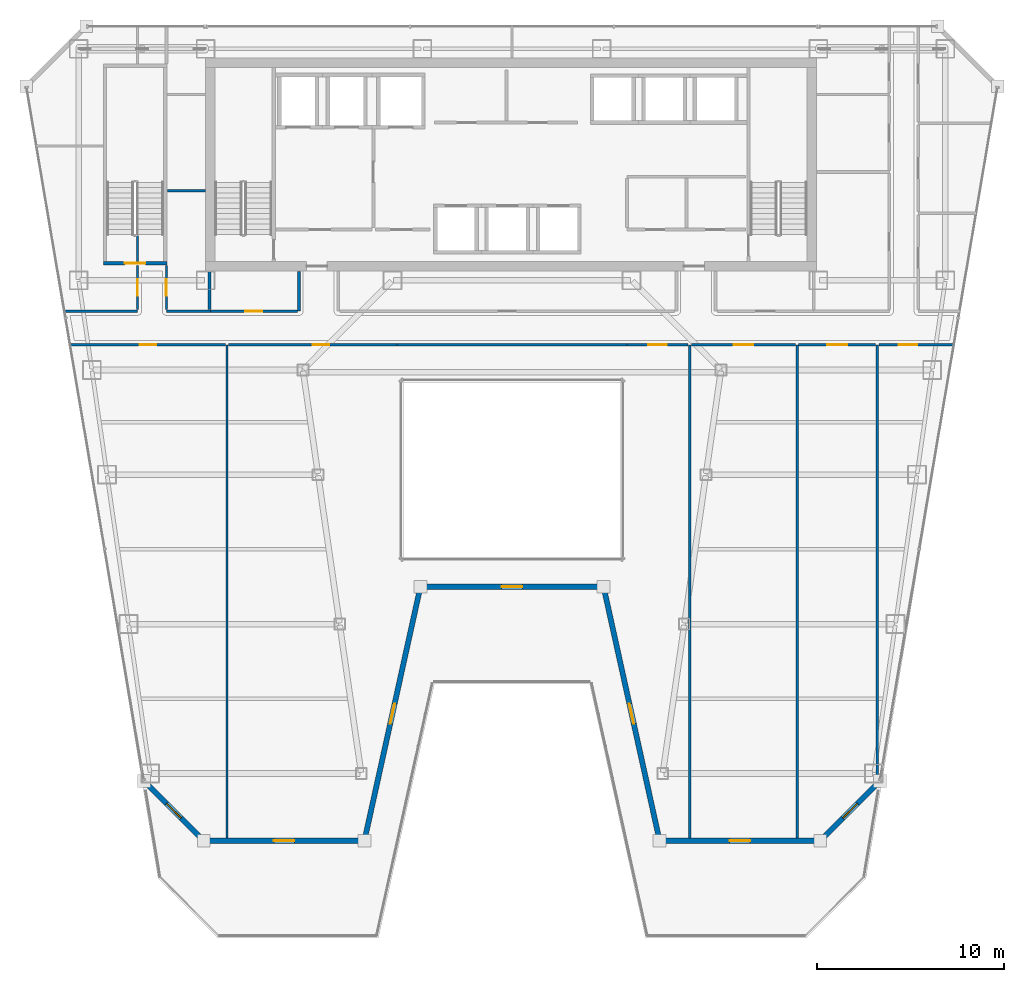
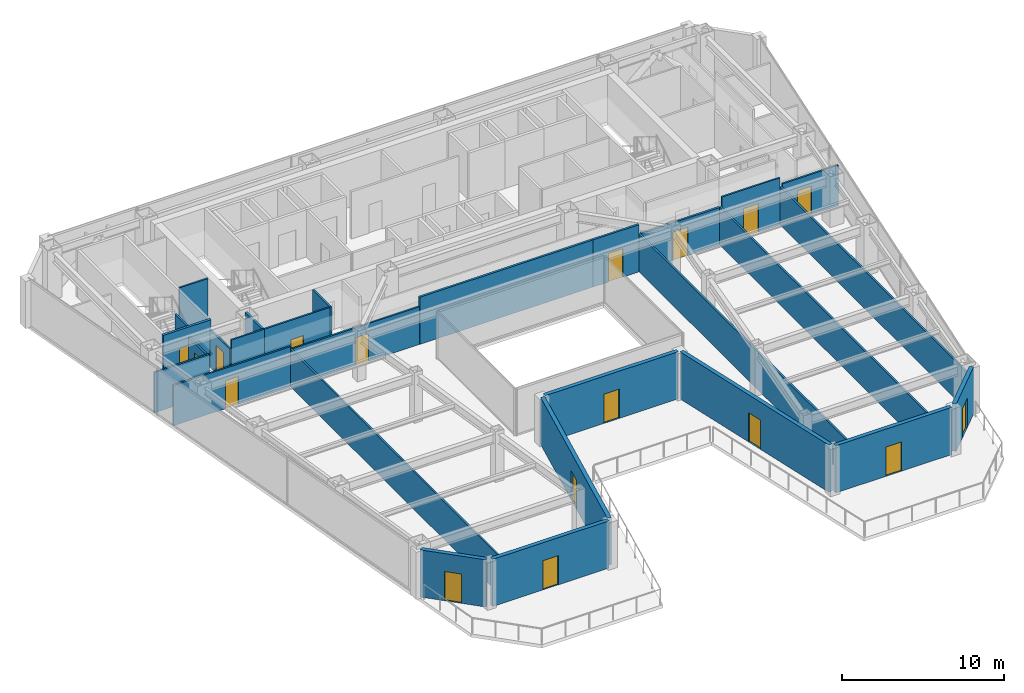
# One storey, part 24 of 31: 28 walls, 17 doors, 17 openings.
"""IFC4 building model written with IfcOpenShell, lengths in metres."""

from ifc_helpers import new_model, si_unit, direction, frame, frame_2d, origin, place, context, subcontext, project, spatial, rectangle, extrude, material, layer, layer_set, type_object, element, fill, save


model = new_model("IFC4")

# Units and contexts
model_context = context("Model", 3, precision=1e-05, world=origin(), true_north=direction((0.0, 1.0)))
body_context = subcontext(model_context, "Body", "Model", "MODEL_VIEW")
ifc_project = project(units=[si_unit("LENGTHUNIT", "METRE"), si_unit("AREAUNIT", "SQUARE_METRE"), si_unit("VOLUMEUNIT", "CUBIC_METRE"), si_unit("PLANEANGLEUNIT", "RADIAN"), si_unit("MASSUNIT", "GRAM", prefix="KILO")], contexts=[model_context])

# Site, building, storey
site_placement = place(None, origin())
site = spatial("IfcSite", under=ifc_project, at=site_placement, CompositionType="ELEMENT")
building_placement = place(site_placement, origin())
building = spatial("IfcBuilding", under=site, at=building_placement, Name="Saevonmaru Cultural Tower", CompositionType="ELEMENT")
storey_placement = place(building_placement, frame((0.0, 0.0, 167.60009765625)))
storey = spatial("IfcBuildingStorey", under=building, at=storey_placement, Name="L37", CompositionType="ELEMENT", Elevation=167.60009765625)

# Wall, opening, door
ifc_material_1 = material(Name="Granite-Clad Precast Concrete C40/50", Category="masonry")
ifc_layer_1 = layer(ifc_material_1, 0.280029296875, Name="Granite-Clad Precast Concrete C40/50")
ifc_layer_set_1 = layer_set([ifc_layer_1], Name="Granite-Clad Precast Concrete C40/50")
wall_type_1 = type_object("IfcWallType", Name="WL-EXT-SPANDREL-280", PredefinedType="STANDARD", material=ifc_layer_set_1)
wall_1_placement = place(storey_placement, frame((10.410888671875, 15.48681640625, 0.0), z_axis=(0.0, 0.0, 1.0), x_axis=(0.707135806771, -0.70707775441, 0.0)))
wall_1 = element("IfcWall", 1, at=wall_1_placement, inside=storey, type_object=wall_type_1, Name="L37 Setback Terrace Portal Wall E1", PredefinedType="STANDARD", context=body_context, shape_type="SweptSolid", body=[
    extrude(rectangle(XDim=4.20556640625, YDim=0.280029296875, at=frame_2d((2.102783203125, 0.0))), origin(), (0.0, 0.0, 1.0), 3.5498046875),
])
opening_1_placement = place(wall_1_placement, frame((1.552978515625, 0.0, 0.0)))
opening_1 = element("IfcOpeningElement", 2, at=opening_1_placement, cuts=wall_1, Name="Opening TD-1", PredefinedType="OPENING", context=body_context, shape_type="SweptSolid", body=[
    extrude(rectangle(XDim=1.10009765625, YDim=2.199951171875, at=frame_2d((0.550048828125, 1.10009765625))), frame((0.0, 0.14990234375, 0.0), z_axis=(0.0, -1.0, 0.0), x_axis=(1.0, 0.0, 0.0)), (0.0, 0.0, 1.0), 0.300048828125),
])
ifc_material_2 = material(Name="Satin Bronze Anodised Aluminium", Category="aluminium")
door_type_1 = type_object("IfcDoorType", Name="DR-TERR-1100", OperationType="SINGLE_SWING_LEFT", PredefinedType="DOOR", material=ifc_material_2)
door_1_placement = place(opening_1_placement, origin())
door_1 = element("IfcDoor", 3, at=door_1_placement, inside=storey, type_object=door_type_1, Name="L37 Sawtooth Roof Terrace Door E1", OperationType="SINGLE_SWING_RIGHT", OverallHeight=2.199951171875, OverallWidth=1.10009765625, PredefinedType="DOOR", context=body_context, shape_type="SweptSolid", body=[
    extrude(rectangle(XDim=1.10009765625, YDim=2.199951171875, at=frame_2d((0.550048828125, 1.10009765625))), frame((0.0, 0.02490234375, 0.0), z_axis=(0.0, -1.0, 0.0), x_axis=(1.0, 0.0, 0.0)), (0.0, 0.0, 1.0), 0.050048828125),
])
fill(opening_1, door_1)

wall_2_placement = place(storey_placement, frame((13.65771484375, 12.39990234375, 0.0), z_axis=(0.0, 0.0, 1.0), x_axis=(1.0, 0.0, 0.0)))
wall_2 = element("IfcWall", 4, at=wall_2_placement, inside=storey, type_object=wall_type_1, Name="L37 Setback Terrace Portal Wall E2", PredefinedType="STANDARD", context=body_context, shape_type="SweptSolid", body=[
    extrude(rectangle(XDim=8.280029296875, YDim=0.280029296875, at=frame_2d((4.14013671875, 0.0))), origin(), (0.0, 0.0, 1.0), 3.5498046875),
])
opening_2_placement = place(wall_2_placement, frame((3.590087890625, 0.0, 0.0)))
opening_2 = element("IfcOpeningElement", 5, at=opening_2_placement, cuts=wall_2, Name="Opening TD-1", PredefinedType="OPENING", context=body_context, shape_type="SweptSolid", body=[
    extrude(rectangle(XDim=1.10009765625, YDim=2.199951171875, at=frame_2d((0.550048828125, 1.10009765625))), frame((0.0, 0.14990234375, 0.0), z_axis=(0.0, -1.0, 0.0), x_axis=(1.0, 0.0, 0.0)), (0.0, 0.0, 1.0), 0.300048828125),
])
door_2_placement = place(opening_2_placement, origin())
door_2 = element("IfcDoor", 6, at=door_2_placement, inside=storey, type_object=door_type_1, Name="L37 Sawtooth Roof Terrace Door E2", OperationType="SINGLE_SWING_LEFT", OverallHeight=2.199951171875, OverallWidth=1.10009765625, PredefinedType="DOOR", context=body_context, shape_type="SweptSolid", body=[
    extrude(rectangle(XDim=1.10009765625, YDim=2.199951171875, at=frame_2d((0.550048828125, 1.10009765625))), frame((0.0, 0.02490234375, 0.0), z_axis=(0.0, -1.0, 0.0), x_axis=(1.0, 0.0, 0.0)), (0.0, 0.0, 1.0), 0.050048828125),
])
fill(opening_2, door_2)

wall_3_placement = place(storey_placement, frame((22.13232421875, 12.55615234375, 0.0), z_axis=(0.0, 0.0, 1.0), x_axis=(0.215397075206, 0.976526548535, 0.0)))
wall_3 = element("IfcWall", 7, at=wall_3_placement, inside=storey, type_object=wall_type_1, Name="L37 Setback Terrace Portal Wall E3", PredefinedType="STANDARD", context=body_context, shape_type="SweptSolid", body=[
    extrude(rectangle(XDim=13.60693359375, YDim=0.280029296875, at=frame_2d((6.803466796875, 0.0))), origin(), (0.0, 0.0, 1.0), 3.5498046875),
])
opening_3_placement = place(wall_3_placement, frame((6.25390625, 0.0, 0.0)))
opening_3 = element("IfcOpeningElement", 8, at=opening_3_placement, cuts=wall_3, Name="Opening TD-1", PredefinedType="OPENING", context=body_context, shape_type="SweptSolid", body=[
    extrude(rectangle(XDim=1.10009765625, YDim=2.199951171875, at=frame_2d((0.550048828125, 1.10009765625))), frame((0.0, 0.14990234375, 0.0), z_axis=(0.0, -1.0, 0.0), x_axis=(1.0, 0.0, 0.0)), (0.0, 0.0, 1.0), 0.300048828125),
])
door_3_placement = place(opening_3_placement, origin())
door_3 = element("IfcDoor", 9, at=door_3_placement, inside=storey, type_object=door_type_1, Name="L37 Sawtooth Roof Terrace Door E3", OperationType="SINGLE_SWING_RIGHT", OverallHeight=2.199951171875, OverallWidth=1.10009765625, PredefinedType="DOOR", context=body_context, shape_type="SweptSolid", body=[
    extrude(rectangle(XDim=1.10009765625, YDim=2.199951171875, at=frame_2d((0.550048828125, 1.10009765625))), frame((0.0, 0.02490234375, 0.0), z_axis=(0.0, -1.0, 0.0), x_axis=(1.0, 0.0, 0.0)), (0.0, 0.0, 1.0), 0.050048828125),
])
fill(opening_3, door_3)

wall_4_placement = place(storey_placement, frame((25.2578125, 26.0, 0.0), z_axis=(0.0, 0.0, 1.0), x_axis=(1.0, 0.0, 0.0)))
wall_4 = element("IfcWall", 10, at=wall_4_placement, inside=storey, type_object=wall_type_1, Name="L37 Setback Terrace Portal Wall E4", PredefinedType="STANDARD", context=body_context, shape_type="SweptSolid", body=[
    extrude(rectangle(XDim=9.484375, YDim=0.280029296875, at=frame_2d((4.7421875, 0.0))), origin(), (0.0, 0.0, 1.0), 3.5498046875),
])
opening_4_placement = place(wall_4_placement, frame((4.19189453125, 0.0, 0.0)))
opening_4 = element("IfcOpeningElement", 11, at=opening_4_placement, cuts=wall_4, Name="Opening TD-1", PredefinedType="OPENING", context=body_context, shape_type="SweptSolid", body=[
    extrude(rectangle(XDim=1.10009765625, YDim=2.199951171875, at=frame_2d((0.550048828125, 1.10009765625))), frame((0.0, 0.14990234375, 0.0), z_axis=(0.0, -1.0, 0.0), x_axis=(1.0, 0.0, 0.0)), (0.0, 0.0, 1.0), 0.300048828125),
])
door_4_placement = place(opening_4_placement, origin())
door_4 = element("IfcDoor", 12, at=door_4_placement, inside=storey, type_object=door_type_1, Name="L37 Sawtooth Roof Terrace Door E4", OperationType="SINGLE_SWING_LEFT", OverallHeight=2.199951171875, OverallWidth=1.10009765625, PredefinedType="DOOR", context=body_context, shape_type="SweptSolid", body=[
    extrude(rectangle(XDim=1.10009765625, YDim=2.199951171875, at=frame_2d((0.550048828125, 1.10009765625))), frame((0.0, 0.02490234375, 0.0), z_axis=(0.0, -1.0, 0.0), x_axis=(1.0, 0.0, 0.0)), (0.0, 0.0, 1.0), 0.050048828125),
])
fill(opening_4, door_4)

wall_5_placement = place(storey_placement, frame((34.936767578125, 25.84375, 0.0), z_axis=(0.0, 0.0, 1.0), x_axis=(0.215397075206, -0.976526548535, 0.0)))
wall_5 = element("IfcWall", 13, at=wall_5_placement, inside=storey, type_object=wall_type_1, Name="L37 Setback Terrace Portal Wall E5", PredefinedType="STANDARD", context=body_context, shape_type="SweptSolid", body=[
    extrude(rectangle(XDim=13.60693359375, YDim=0.280029296875, at=frame_2d((6.803466796875, 0.0))), origin(), (0.0, 0.0, 1.0), 3.5498046875),
])
opening_5_placement = place(wall_5_placement, frame((6.25390625, 0.0, 0.0)))
opening_5 = element("IfcOpeningElement", 14, at=opening_5_placement, cuts=wall_5, Name="Opening TD-1", PredefinedType="OPENING", context=body_context, shape_type="SweptSolid", body=[
    extrude(rectangle(XDim=1.10009765625, YDim=2.199951171875, at=frame_2d((0.550048828125, 1.10009765625))), frame((0.0, 0.14990234375, 0.0), z_axis=(0.0, -1.0, 0.0), x_axis=(1.0, 0.0, 0.0)), (0.0, 0.0, 1.0), 0.300048828125),
])
door_5_placement = place(opening_5_placement, origin())
door_5 = element("IfcDoor", 15, at=door_5_placement, inside=storey, type_object=door_type_1, Name="L37 Sawtooth Roof Terrace Door E5", OperationType="SINGLE_SWING_RIGHT", OverallHeight=2.199951171875, OverallWidth=1.10009765625, PredefinedType="DOOR", context=body_context, shape_type="SweptSolid", body=[
    extrude(rectangle(XDim=1.10009765625, YDim=2.199951171875, at=frame_2d((0.550048828125, 1.10009765625))), frame((0.0, 0.02490234375, 0.0), z_axis=(0.0, -1.0, 0.0), x_axis=(1.0, 0.0, 0.0)), (0.0, 0.0, 1.0), 0.050048828125),
])
fill(opening_5, door_5)

wall_6_placement = place(storey_placement, frame((38.062255859375, 12.39990234375, 0.0), z_axis=(0.0, 0.0, 1.0), x_axis=(1.0, 0.0, 0.0)))
wall_6 = element("IfcWall", 16, at=wall_6_placement, inside=storey, type_object=wall_type_1, Name="L37 Setback Terrace Portal Wall E6", PredefinedType="STANDARD", context=body_context, shape_type="SweptSolid", body=[
    extrude(rectangle(XDim=8.280029296875, YDim=0.280029296875, at=frame_2d((4.14013671875, 0.0))), origin(), (0.0, 0.0, 1.0), 3.5498046875),
])
opening_6_placement = place(wall_6_placement, frame((3.590087890625, 0.0, 0.0)))
opening_6 = element("IfcOpeningElement", 17, at=opening_6_placement, cuts=wall_6, Name="Opening TD-1", PredefinedType="OPENING", context=body_context, shape_type="SweptSolid", body=[
    extrude(rectangle(XDim=1.10009765625, YDim=2.199951171875, at=frame_2d((0.550048828125, 1.10009765625))), frame((0.0, 0.14990234375, 0.0), z_axis=(0.0, -1.0, 0.0), x_axis=(1.0, 0.0, 0.0)), (0.0, 0.0, 1.0), 0.300048828125),
])
door_6_placement = place(opening_6_placement, origin())
door_6 = element("IfcDoor", 18, at=door_6_placement, inside=storey, type_object=door_type_1, Name="L37 Sawtooth Roof Terrace Door E6", OperationType="SINGLE_SWING_LEFT", OverallHeight=2.199951171875, OverallWidth=1.10009765625, PredefinedType="DOOR", context=body_context, shape_type="SweptSolid", body=[
    extrude(rectangle(XDim=1.10009765625, YDim=2.199951171875, at=frame_2d((0.550048828125, 1.10009765625))), frame((0.0, 0.02490234375, 0.0), z_axis=(0.0, -1.0, 0.0), x_axis=(1.0, 0.0, 0.0)), (0.0, 0.0, 1.0), 0.050048828125),
])
fill(opening_6, door_6)

wall_7_placement = place(storey_placement, frame((46.615234375, 12.51318359375, 0.0), z_axis=(0.0, 0.0, 1.0), x_axis=(0.707135806771, 0.70707775441, 0.0)))
wall_7 = element("IfcWall", 19, at=wall_7_placement, inside=storey, type_object=wall_type_1, Name="L37 Setback Terrace Portal Wall E7", PredefinedType="STANDARD", context=body_context, shape_type="SweptSolid", body=[
    extrude(rectangle(XDim=4.20556640625, YDim=0.280029296875, at=frame_2d((2.102783203125, 0.0))), origin(), (0.0, 0.0, 1.0), 3.5498046875),
])
opening_7_placement = place(wall_7_placement, frame((1.552978515625, 0.0, 0.0)))
opening_7 = element("IfcOpeningElement", 20, at=opening_7_placement, cuts=wall_7, Name="Opening TD-1", PredefinedType="OPENING", context=body_context, shape_type="SweptSolid", body=[
    extrude(rectangle(XDim=1.10009765625, YDim=2.199951171875, at=frame_2d((0.550048828125, 1.10009765625))), frame((0.0, 0.14990234375, 0.0), z_axis=(0.0, -1.0, 0.0), x_axis=(1.0, 0.0, 0.0)), (0.0, 0.0, 1.0), 0.300048828125),
])
door_7_placement = place(opening_7_placement, origin())
door_7 = element("IfcDoor", 21, at=door_7_placement, inside=storey, type_object=door_type_1, Name="L37 Sawtooth Roof Terrace Door E7", OperationType="SINGLE_SWING_RIGHT", OverallHeight=2.199951171875, OverallWidth=1.10009765625, PredefinedType="DOOR", context=body_context, shape_type="SweptSolid", body=[
    extrude(rectangle(XDim=1.10009765625, YDim=2.199951171875, at=frame_2d((0.550048828125, 1.10009765625))), frame((0.0, 0.02490234375, 0.0), z_axis=(0.0, -1.0, 0.0), x_axis=(1.0, 0.0, 0.0)), (0.0, 0.0, 1.0), 0.050048828125),
])
fill(opening_7, door_7)

# Walls
ifc_material_3 = material(Name="Gypsum Fireboard Partition", Category="gypsum")
ifc_layer_2 = layer(ifc_material_3, 0.14990234375, Name="Gypsum Fireboard Partition")
ifc_layer_set_2 = layer_set([ifc_layer_2], Name="Gypsum Fireboard Partition")
wall_type_2 = type_object("IfcWallType", Name="WL-PART-FIRE-150", PredefinedType="PARTITIONING", material=ifc_layer_set_2)
wall_8_placement = place(storey_placement, frame((13.800048828125, 40.830078125, 0.0), z_axis=(0.0, 0.0, 1.0), x_axis=(0.0, 1.0, 0.0)))
element("IfcWall", 22, at=wall_8_placement, inside=storey, type_object=wall_type_2, Name="L37 Core Portal Side Wall W0", PredefinedType="PARTITIONING", context=body_context, shape_type="SweptSolid", body=[
    extrude(rectangle(XDim=2.0498046875, YDim=0.14990234375, at=frame_2d((1.02490234375, 0.0))), origin(), (0.0, 0.0, 1.0), 3.5498046875),
])
wall_9_placement = place(storey_placement, frame((18.60009765625, 40.75, 0.0), z_axis=(0.0, 0.0, 1.0), x_axis=(0.0, 1.0, 0.0)))
element("IfcWall", 23, at=wall_9_placement, inside=storey, type_object=wall_type_2, Name="L37 Core Portal Side Wall W1", PredefinedType="PARTITIONING", context=body_context, shape_type="SweptSolid", body=[
    extrude(rectangle(XDim=2.1298828125, YDim=0.14990234375, at=frame_2d((1.06494140625, 0.0))), origin(), (0.0, 0.0, 1.0), 3.5498046875),
])
wall_10_placement = place(storey_placement, frame((23.85009765625, 38.949951171875, 0.0), z_axis=(0.0, 0.0, 1.0), x_axis=(1.0, 0.0, 0.0)))
element("IfcWall", 24, at=wall_10_placement, inside=storey, type_object=wall_type_2, Name="L37 North Atrium Corridor Wall", PredefinedType="PARTITIONING", context=body_context, shape_type="SweptSolid", body=[
    extrude(rectangle(XDim=12.2998046875, YDim=0.14990234375, at=frame_2d((6.14990234375, 0.0))), origin(), (0.0, 0.0, 1.0), 3.5498046875),
])

# Wall, opening, door
wall_11_placement = place(storey_placement, frame((36.14990234375, 38.949951171875, 0.0), z_axis=(0.0, 0.0, 1.0), x_axis=(1.0, 0.0, 0.0)))
wall_11 = element("IfcWall", 25, at=wall_11_placement, inside=storey, type_object=wall_type_2, Name="L37 Media Screening Auditorium Corridor Wall", PredefinedType="PARTITIONING", context=body_context, shape_type="SweptSolid", body=[
    extrude(rectangle(XDim=3.272705078125, YDim=0.14990234375, at=frame_2d((1.63623046875, 0.0))), origin(), (0.0, 0.0, 1.0), 3.5498046875),
])
opening_8_placement = place(wall_11_placement, frame((1.135986328125, 0.0, 0.0)))
opening_8 = element("IfcOpeningElement", 26, at=opening_8_placement, cuts=wall_11, Name="Opening ID-1B", PredefinedType="OPENING", context=body_context, shape_type="SweptSolid", body=[
    extrude(rectangle(XDim=1.0, YDim=2.14990234375, at=frame_2d((0.5, 1.074951171875))), frame((0.0, 0.0849609375, 0.0), z_axis=(0.0, -1.0, 0.0), x_axis=(1.0, 0.0, 0.0)), (0.0, 0.0, 1.0), 0.169921875),
])
ifc_material_4 = material(Name="Acoustic Stained Oak Timber", Category="wood")
door_type_2 = type_object("IfcDoorType", Name="DR-INT-1000", OperationType="SINGLE_SWING_RIGHT", PredefinedType="DOOR", material=ifc_material_4)
door_8_placement = place(opening_8_placement, origin())
door_8 = element("IfcDoor", 27, at=door_8_placement, inside=storey, type_object=door_type_2, Name="L37 Media Screening Auditorium Door", OperationType="SINGLE_SWING_LEFT", OverallHeight=2.14990234375, OverallWidth=1.0, PredefinedType="DOOR", context=body_context, shape_type="SweptSolid", body=[
    extrude(rectangle(XDim=1.0, YDim=2.14990234375, at=frame_2d((0.5, 1.074951171875))), frame((0.0, 0.02490234375, 0.0), z_axis=(0.0, -1.0, 0.0), x_axis=(1.0, 0.0, 0.0)), (0.0, 0.0, 1.0), 0.050048828125),
])
fill(opening_8, door_8)

wall_12_placement = place(storey_placement, frame((39.597412109375, 38.949951171875, 0.0), z_axis=(0.0, 0.0, 1.0), x_axis=(1.0, 0.0, 0.0)))
wall_12 = element("IfcWall", 28, at=wall_12_placement, inside=storey, type_object=wall_type_2, Name="L37 Visual Arts Critique Gallery Corridor Wall", PredefinedType="PARTITIONING", context=body_context, shape_type="SweptSolid", body=[
    extrude(rectangle(XDim=5.5751953125, YDim=0.14990234375, at=frame_2d((2.78759765625, 0.0))), origin(), (0.0, 0.0, 1.0), 2.8349609375),
])
opening_9_placement = place(wall_12_placement, frame((2.262939453125, 0.0, 0.0)))
opening_9 = element("IfcOpeningElement", 29, at=opening_9_placement, cuts=wall_12, Name="Opening ID-1", PredefinedType="OPENING", context=body_context, shape_type="SweptSolid", body=[
    extrude(rectangle(XDim=1.050048828125, YDim=2.14990234375, at=frame_2d((0.52490234375, 1.074951171875))), frame((0.0, 0.0849609375, 0.0), z_axis=(0.0, -1.0, 0.0), x_axis=(1.0, 0.0, 0.0)), (0.0, 0.0, 1.0), 0.169921875),
])
door_type_3 = type_object("IfcDoorType", Name="DR-INT-1050", OperationType="SINGLE_SWING_LEFT", PredefinedType="DOOR", material=ifc_material_2)
door_9_placement = place(opening_9_placement, origin())
door_9 = element("IfcDoor", 30, at=door_9_placement, inside=storey, type_object=door_type_3, Name="L37 Visual Arts Critique Gallery Door", OperationType="SINGLE_SWING_RIGHT", OverallHeight=2.14990234375, OverallWidth=1.050048828125, PredefinedType="DOOR", context=body_context, shape_type="SweptSolid", body=[
    extrude(rectangle(XDim=1.050048828125, YDim=2.14990234375, at=frame_2d((0.52490234375, 1.074951171875))), frame((0.0, 0.02490234375, 0.0), z_axis=(0.0, -1.0, 0.0), x_axis=(1.0, 0.0, 0.0)), (0.0, 0.0, 1.0), 0.050048828125),
])
fill(opening_9, door_9)

# Walls
ifc_layer_3 = layer(ifc_material_3, 0.1201171875, Name="Gypsum Fireboard Partition")
ifc_layer_set_3 = layer_set([ifc_layer_3], Name="Gypsum Fireboard Partition")
wall_type_3 = type_object("IfcWallType", Name="WL-PART-GYP-120", PredefinedType="PARTITIONING", material=ifc_layer_set_3)
wall_13_placement = place(storey_placement, frame((6.045166015625, 40.75, 0.0), z_axis=(0.0, 0.0, 1.0), x_axis=(1.0, 0.0, 0.0)))
element("IfcWall", 31, at=wall_13_placement, inside=storey, type_object=wall_type_3, Name="L37 NW Wing South Wall", PredefinedType="PARTITIONING", context=body_context, shape_type="SweptSolid", body=[
    extrude(rectangle(XDim=3.90478515625, YDim=0.1201171875, at=frame_2d((1.952392578125, 0.0))), origin(), (0.0, 0.0, 1.0), 3.034912109375),
])
wall_14_placement = place(storey_placement, frame((11.5, 40.75, 0.0), z_axis=(0.0, 0.0, 1.0), x_axis=(1.0, 0.0, 0.0)))
element("IfcWall", 32, at=wall_14_placement, inside=storey, type_object=wall_type_3, Name="L37 NW Inner South Wall", PredefinedType="PARTITIONING", context=body_context, shape_type="SweptSolid", body=[
    extrude(rectangle(XDim=2.35009765625, YDim=0.1201171875, at=frame_2d((1.175048828125, 0.0))), origin(), (0.0, 0.0, 1.0), 3.5498046875),
])

# Wall, opening, door
wall_15_placement = place(storey_placement, frame((9.949951171875, 40.830078125, 0.0), z_axis=(0.0, 0.0, 1.0), x_axis=(0.0, 1.0, 0.0)))
wall_15 = element("IfcWall", 33, at=wall_15_placement, inside=storey, type_object=wall_type_3, Name="L37 Digital Media Classroom Corridor Wall", PredefinedType="PARTITIONING", context=body_context, shape_type="SweptSolid", body=[
    extrude(rectangle(XDim=2.369873046875, YDim=0.1201171875, at=frame_2d((1.18505859375, 0.0))), origin(), (0.0, 0.0, 1.0), 2.8349609375),
])
opening_10_placement = place(wall_15_placement, frame((0.735107421875, 0.0, 0.0)))
opening_10 = element("IfcOpeningElement", 34, at=opening_10_placement, cuts=wall_15, Name="Opening ID-2", PredefinedType="OPENING", context=body_context, shape_type="SweptSolid", body=[
    extrude(rectangle(XDim=0.89990234375, YDim=2.10009765625, at=frame_2d((0.449951171875, 1.050048828125))), frame((0.0, 0.070068359375, 0.0), z_axis=(0.0, -1.0, 0.0), x_axis=(1.0, 0.0, 0.0)), (0.0, 0.0, 1.0), 0.14013671875),
])
door_type_4 = type_object("IfcDoorType", Name="DR-INT-900", OperationType="SINGLE_SWING_RIGHT", PredefinedType="DOOR", material=ifc_material_4)
door_10_placement = place(opening_10_placement, origin())
door_10 = element("IfcDoor", 35, at=door_10_placement, inside=storey, type_object=door_type_4, Name="L37 Digital Media Classroom Door", OperationType="SINGLE_SWING_LEFT", OverallHeight=2.10009765625, OverallWidth=0.89990234375, PredefinedType="DOOR", context=body_context, shape_type="SweptSolid", body=[
    extrude(rectangle(XDim=0.89990234375, YDim=2.10009765625, at=frame_2d((0.449951171875, 1.050048828125))), frame((0.0, 0.02490234375, 0.0), z_axis=(0.0, -1.0, 0.0), x_axis=(1.0, 0.0, 0.0)), (0.0, 0.0, 1.0), 0.050048828125),
])
fill(opening_10, door_10)

# Walls
wall_16_placement = place(storey_placement, frame((9.949951171875, 43.419921875, 0.0), z_axis=(0.0, 0.0, 1.0), x_axis=(0.0, 1.0, 0.0)))
element("IfcWall", 36, at=wall_16_placement, inside=storey, type_object=wall_type_3, Name="L37 Digital Media Classroom Corridor Wall (2)", PredefinedType="PARTITIONING", context=body_context, shape_type="SweptSolid", body=[
    extrude(rectangle(XDim=1.4501953125, YDim=0.1201171875, at=frame_2d((0.72509765625, 0.0))), origin(), (0.0, 0.0, 1.0), 3.5498046875),
])
wall_17_placement = place(storey_placement, frame((11.550048828125, 47.199951171875, 0.0), z_axis=(0.0, 0.0, 1.0), x_axis=(1.0, 0.0, 0.0)))
element("IfcWall", 37, at=wall_17_placement, inside=storey, type_object=wall_type_3, Name="L37 NW Inner Divider", PredefinedType="PARTITIONING", context=body_context, shape_type="SweptSolid", body=[
    extrude(rectangle(XDim=2.030029296875, YDim=0.1201171875, at=frame_2d((1.01513671875, 0.0))), origin(), (0.0, 0.0, 1.0), 3.5498046875),
])

# Wall, opening, door
wall_18_placement = place(storey_placement, frame((11.5, 40.830078125, 0.0), z_axis=(0.0, 0.0, 1.0), x_axis=(0.0, 1.0, 0.0)))
wall_18 = element("IfcWall", 38, at=wall_18_placement, inside=storey, type_object=wall_type_3, Name="L37 Design Seminar Classroom Corridor Wall", PredefinedType="PARTITIONING", context=body_context, shape_type="SweptSolid", body=[
    extrude(rectangle(XDim=2.369873046875, YDim=0.1201171875, at=frame_2d((1.18505859375, 0.0))), origin(), (0.0, 0.0, 1.0), 2.8349609375),
])
opening_11_placement = place(wall_18_placement, frame((0.735107421875, 0.0, 0.0)))
opening_11 = element("IfcOpeningElement", 39, at=opening_11_placement, cuts=wall_18, Name="Opening ID-2", PredefinedType="OPENING", context=body_context, shape_type="SweptSolid", body=[
    extrude(rectangle(XDim=0.89990234375, YDim=2.10009765625, at=frame_2d((0.449951171875, 1.050048828125))), frame((0.0, 0.070068359375, 0.0), z_axis=(0.0, -1.0, 0.0), x_axis=(1.0, 0.0, 0.0)), (0.0, 0.0, 1.0), 0.14013671875),
])
door_11_placement = place(opening_11_placement, origin())
door_11 = element("IfcDoor", 40, at=door_11_placement, inside=storey, type_object=door_type_4, Name="L37 Design Seminar Classroom Door", OperationType="SINGLE_SWING_RIGHT", OverallHeight=2.10009765625, OverallWidth=0.89990234375, PredefinedType="DOOR", context=body_context, shape_type="SweptSolid", body=[
    extrude(rectangle(XDim=0.89990234375, YDim=2.10009765625, at=frame_2d((0.449951171875, 1.050048828125))), frame((0.0, 0.02490234375, 0.0), z_axis=(0.0, -1.0, 0.0), x_axis=(1.0, 0.0, 0.0)), (0.0, 0.0, 1.0), 0.050048828125),
])
fill(opening_11, door_11)

wall_19_placement = place(storey_placement, frame((13.85009765625, 40.75, 0.0), z_axis=(0.0, 0.0, 1.0), x_axis=(1.0, 0.0, 0.0)))
wall_19 = element("IfcWall", 41, at=wall_19_placement, inside=storey, type_object=wall_type_3, Name="L37 Digital Media Classroom Corridor Wall", PredefinedType="PARTITIONING", context=body_context, shape_type="SweptSolid", body=[
    extrude(rectangle(XDim=4.65478515625, YDim=0.1201171875, at=frame_2d((2.327392578125, 0.0))), origin(), (0.0, 0.0, 1.0), 3.5498046875),
])
opening_12_placement = place(wall_19_placement, frame((1.876953125, 0.0, 0.0)))
opening_12 = element("IfcOpeningElement", 42, at=opening_12_placement, cuts=wall_19, Name="Opening ID-2", PredefinedType="OPENING", context=body_context, shape_type="SweptSolid", body=[
    extrude(rectangle(XDim=0.89990234375, YDim=2.10009765625, at=frame_2d((0.449951171875, 1.050048828125))), frame((0.0, 0.070068359375, 0.0), z_axis=(0.0, -1.0, 0.0), x_axis=(1.0, 0.0, 0.0)), (0.0, 0.0, 1.0), 0.14013671875),
])
door_12_placement = place(opening_12_placement, origin())
door_12 = element("IfcDoor", 43, at=door_12_placement, inside=storey, type_object=door_type_4, Name="L37 Digital Media Classroom Door", OperationType="SINGLE_SWING_RIGHT", OverallHeight=2.10009765625, OverallWidth=0.89990234375, PredefinedType="DOOR", context=body_context, shape_type="SweptSolid", body=[
    extrude(rectangle(XDim=0.89990234375, YDim=2.10009765625, at=frame_2d((0.449951171875, 1.050048828125))), frame((0.0, 0.02490234375, 0.0), z_axis=(0.0, -1.0, 0.0), x_axis=(1.0, 0.0, 0.0)), (0.0, 0.0, 1.0), 0.050048828125),
])
fill(opening_12, door_12)

# Wall
wall_20_placement = place(storey_placement, frame((14.739990234375, 12.56005859375, 0.0), z_axis=(0.0, 0.0, 1.0), x_axis=(0.0, 1.0, 0.0)))
element("IfcWall", 44, at=wall_20_placement, inside=storey, type_object=wall_type_3, Name="L37 West Bay Divider 1", PredefinedType="PARTITIONING", context=body_context, shape_type="SweptSolid", body=[
    extrude(rectangle(XDim=26.389892578125, YDim=0.1201171875, at=frame_2d((13.19482421875, 0.0))), origin(), (0.0, 0.0, 1.0), 2.8349609375),
])

# Wall, opening, door
wall_21_placement = place(storey_placement, frame((6.36279296875, 38.949951171875, 0.0), z_axis=(0.0, 0.0, 1.0), x_axis=(1.0, 0.0, 0.0)))
wall_21 = element("IfcWall", 45, at=wall_21_placement, inside=storey, type_object=wall_type_3, Name="L37 Digital Media Classroom Corridor Wall", PredefinedType="PARTITIONING", context=body_context, shape_type="SweptSolid", body=[
    extrude(rectangle(XDim=8.297119140625, YDim=0.1201171875, at=frame_2d((4.1484375, 0.0))), origin(), (0.0, 0.0, 1.0), 3.034912109375),
])
opening_13_placement = place(wall_21_placement, frame((3.698974609375, 0.0, 0.0)))
opening_13 = element("IfcOpeningElement", 46, at=opening_13_placement, cuts=wall_21, Name="Opening ID-2", PredefinedType="OPENING", context=body_context, shape_type="SweptSolid", body=[
    extrude(rectangle(XDim=0.89990234375, YDim=2.10009765625, at=frame_2d((0.449951171875, 1.050048828125))), frame((0.0, 0.070068359375, 0.0), z_axis=(0.0, -1.0, 0.0), x_axis=(1.0, 0.0, 0.0)), (0.0, 0.0, 1.0), 0.14013671875),
])
door_13_placement = place(opening_13_placement, origin())
door_13 = element("IfcDoor", 47, at=door_13_placement, inside=storey, type_object=door_type_4, Name="L37 Digital Media Classroom Door", OperationType="SINGLE_SWING_LEFT", OverallHeight=2.10009765625, OverallWidth=0.89990234375, PredefinedType="DOOR", context=body_context, shape_type="SweptSolid", body=[
    extrude(rectangle(XDim=0.89990234375, YDim=2.10009765625, at=frame_2d((0.449951171875, 1.050048828125))), frame((0.0, 0.02490234375, 0.0), z_axis=(0.0, -1.0, 0.0), x_axis=(1.0, 0.0, 0.0)), (0.0, 0.0, 1.0), 0.050048828125),
])
fill(opening_13, door_13)

wall_22_placement = place(storey_placement, frame((14.820068359375, 38.949951171875, 0.0), z_axis=(0.0, 0.0, 1.0), x_axis=(1.0, 0.0, 0.0)))
wall_22 = element("IfcWall", 48, at=wall_22_placement, inside=storey, type_object=wall_type_3, Name="L37 Design Seminar Classroom Corridor Wall", PredefinedType="PARTITIONING", context=body_context, shape_type="SweptSolid", body=[
    extrude(rectangle(XDim=9.030029296875, YDim=0.1201171875, at=frame_2d((4.51513671875, 0.0))), origin(), (0.0, 0.0, 1.0), 2.8349609375),
])
opening_14_placement = place(wall_22_placement, frame((4.5048828125, 0.0, 0.0)))
opening_14 = element("IfcOpeningElement", 49, at=opening_14_placement, cuts=wall_22, Name="Opening ID-2", PredefinedType="OPENING", context=body_context, shape_type="SweptSolid", body=[
    extrude(rectangle(XDim=0.89990234375, YDim=2.10009765625, at=frame_2d((0.449951171875, 1.050048828125))), frame((0.0, 0.070068359375, 0.0), z_axis=(0.0, -1.0, 0.0), x_axis=(1.0, 0.0, 0.0)), (0.0, 0.0, 1.0), 0.14013671875),
])
door_14_placement = place(opening_14_placement, origin())
door_14 = element("IfcDoor", 50, at=door_14_placement, inside=storey, type_object=door_type_4, Name="L37 Design Seminar Classroom Door", OperationType="SINGLE_SWING_RIGHT", OverallHeight=2.10009765625, OverallWidth=0.89990234375, PredefinedType="DOOR", context=body_context, shape_type="SweptSolid", body=[
    extrude(rectangle(XDim=0.89990234375, YDim=2.10009765625, at=frame_2d((0.449951171875, 1.050048828125))), frame((0.0, 0.02490234375, 0.0), z_axis=(0.0, -1.0, 0.0), x_axis=(1.0, 0.0, 0.0)), (0.0, 0.0, 1.0), 0.050048828125),
])
fill(opening_14, door_14)

wall_23_placement = place(storey_placement, frame((45.347412109375, 38.949951171875, 0.0), z_axis=(0.0, 0.0, 1.0), x_axis=(1.0, 0.0, 0.0)))
wall_23 = element("IfcWall", 51, at=wall_23_placement, inside=storey, type_object=wall_type_3, Name="L37 Cartographic Study Library Corridor Wall", PredefinedType="PARTITIONING", context=body_context, shape_type="SweptSolid", body=[
    extrude(rectangle(XDim=4.125, YDim=0.1201171875, at=frame_2d((2.0625, 0.0))), origin(), (0.0, 0.0, 1.0), 3.5498046875),
])
opening_15_placement = place(wall_23_placement, frame((1.5380859375, 0.0, 0.0)))
opening_15 = element("IfcOpeningElement", 52, at=opening_15_placement, cuts=wall_23, Name="Opening ID-1", PredefinedType="OPENING", context=body_context, shape_type="SweptSolid", body=[
    extrude(rectangle(XDim=1.050048828125, YDim=2.14990234375, at=frame_2d((0.52490234375, 1.074951171875))), frame((0.0, 0.070068359375, 0.0), z_axis=(0.0, -1.0, 0.0), x_axis=(1.0, 0.0, 0.0)), (0.0, 0.0, 1.0), 0.14013671875),
])
door_15_placement = place(opening_15_placement, origin())
door_15 = element("IfcDoor", 53, at=door_15_placement, inside=storey, type_object=door_type_3, Name="L37 Cartographic Study Library Door", OperationType="SINGLE_SWING_LEFT", OverallHeight=2.14990234375, OverallWidth=1.050048828125, PredefinedType="DOOR", context=body_context, shape_type="SweptSolid", body=[
    extrude(rectangle(XDim=1.050048828125, YDim=2.14990234375, at=frame_2d((0.52490234375, 1.074951171875))), frame((0.0, 0.02490234375, 0.0), z_axis=(0.0, -1.0, 0.0), x_axis=(1.0, 0.0, 0.0)), (0.0, 0.0, 1.0), 0.050048828125),
])
fill(opening_15, door_15)

wall_24_placement = place(storey_placement, frame((49.6474609375, 38.949951171875, 0.0), z_axis=(0.0, 0.0, 1.0), x_axis=(1.0, 0.0, 0.0)))
wall_24 = element("IfcWall", 54, at=wall_24_placement, inside=storey, type_object=wall_type_3, Name="L37 Panoramic Salon Restaurant Corridor Wall", PredefinedType="PARTITIONING", context=body_context, shape_type="SweptSolid", body=[
    extrude(rectangle(XDim=3.98974609375, YDim=0.1201171875, at=frame_2d((1.994873046875, 0.0))), origin(), (0.0, 0.0, 1.0), 3.034912109375),
])
opening_16_placement = place(wall_24_placement, frame((1.054931640625, 0.0, 0.0)))
opening_16 = element("IfcOpeningElement", 55, at=opening_16_placement, cuts=wall_24, Name="Opening ID-1B", PredefinedType="OPENING", context=body_context, shape_type="SweptSolid", body=[
    extrude(rectangle(XDim=1.0, YDim=2.14990234375, at=frame_2d((0.5, 1.074951171875))), frame((0.0, 0.070068359375, 0.0), z_axis=(0.0, -1.0, 0.0), x_axis=(1.0, 0.0, 0.0)), (0.0, 0.0, 1.0), 0.14013671875),
])
door_16_placement = place(opening_16_placement, origin())
door_16 = element("IfcDoor", 56, at=door_16_placement, inside=storey, type_object=door_type_2, Name="L37 Panoramic Salon Restaurant Door", OperationType="SINGLE_SWING_RIGHT", OverallHeight=2.14990234375, OverallWidth=1.0, PredefinedType="DOOR", context=body_context, shape_type="SweptSolid", body=[
    extrude(rectangle(XDim=1.0, YDim=2.14990234375, at=frame_2d((0.5, 1.074951171875))), frame((0.0, 0.02490234375, 0.0), z_axis=(0.0, -1.0, 0.0), x_axis=(1.0, 0.0, 0.0)), (0.0, 0.0, 1.0), 0.050048828125),
])
fill(opening_16, door_16)

# Walls
ifc_layer_4 = layer(ifc_material_3, 0.135009765625, Name="Gypsum Fireboard Partition")
ifc_layer_set_4 = layer_set([ifc_layer_4], Name="Gypsum Fireboard Partition")
wall_type_4 = type_object("IfcWallType", Name="WL-PART-GYP-135", PredefinedType="PARTITIONING", material=ifc_layer_set_4)
for number, where, z_axis, x_axis, name in (
    (57, (39.510009765625, 12.56005859375, 0.0), (0.0, 0.0, 1.0), (0.0, 1.0, 0.0), "L37 East Bay Divider 1"),
    (58, (45.260009765625, 12.56005859375, 0.0), (0.0, 0.0, 1.0), (0.0, 1.0, 0.0), "L37 East Bay Divider 2"),
):
    element("IfcWall", number, at=place(storey_placement, frame(where, z_axis=z_axis, x_axis=x_axis)), inside=storey, type_object=wall_type_4, Name=name, PredefinedType="PARTITIONING", context=body_context, shape_type="SweptSolid", body=[
        extrude(rectangle(XDim=26.389892578125, YDim=0.135009765625, at=frame_2d((13.19482421875, 0.0))), origin(), (0.0, 0.0, 1.0), 2.8349609375),
    ])
wall_25_placement = place(storey_placement, frame((49.56005859375, 15.51611328125, 0.0), z_axis=(0.0, 0.0, 1.0), x_axis=(0.0, 1.0, 0.0)))
element("IfcWall", 59, at=wall_25_placement, inside=storey, type_object=wall_type_4, Name="L37 East Bay Divider 3", PredefinedType="PARTITIONING", context=body_context, shape_type="SweptSolid", body=[
    extrude(rectangle(XDim=23.433837890625, YDim=0.135009765625, at=frame_2d((11.716796875, 0.0))), origin(), (0.0, 0.0, 1.0), 2.8349609375),
])

# Wall, opening, door
ifc_material_5 = material(Name="Concrete C40/50", Category="concrete")
ifc_layer_5 = layer(ifc_material_5, 0.179931640625, Name="Concrete C40/50")
ifc_layer_set_5 = layer_set([ifc_layer_5], Name="Concrete C40/50")
wall_type_5 = type_object("IfcWallType", Name="WL-STSHAFT-180", PredefinedType="SHEAR", material=ifc_layer_set_5)
wall_26_placement = place(storey_placement, frame((8.1201171875, 43.31005859375, 0.0), z_axis=(0.0, 0.0, 1.0), x_axis=(1.0, 0.0, 0.0)))
wall_26 = element("IfcWall", 60, at=wall_26_placement, inside=storey, type_object=wall_type_5, Name="L37 Stair ST-3 Structural Shaft Wall 1", PredefinedType="SHEAR", context=body_context, shape_type="SweptSolid", body=[
    extrude(rectangle(XDim=3.409912109375, YDim=0.179931640625, at=frame_2d((1.705078125, 0.0))), origin(), (0.0, 0.0, 1.0), 3.5498046875),
])
opening_17_placement = place(wall_26_placement, frame((1.14990234375, 0.0, 0.0)))
opening_17 = element("IfcOpeningElement", 61, at=opening_17_placement, cuts=wall_26, Name="Opening FD-2", PredefinedType="OPENING", context=body_context, shape_type="SweptSolid", body=[
    extrude(rectangle(XDim=1.10009765625, YDim=2.14990234375, at=frame_2d((0.550048828125, 1.074951171875))), frame((0.0, 0.10009765625, 0.0), z_axis=(0.0, -1.0, 0.0), x_axis=(1.0, 0.0, 0.0)), (0.0, 0.0, 1.0), 0.199951171875),
])
door_type_5 = type_object("IfcDoorType", Name="DR-FD60-1100", OperationType="SINGLE_SWING_LEFT", PredefinedType="DOOR", material=ifc_material_2)
door_17_placement = place(opening_17_placement, origin())
door_17 = element("IfcDoor", 62, at=door_17_placement, inside=storey, type_object=door_type_5, Name="L37 Protected Stair ST-3 Fire Door", OperationType="SINGLE_SWING_LEFT", OverallHeight=2.14990234375, OverallWidth=1.10009765625, PredefinedType="DOOR", context=body_context, shape_type="SweptSolid", body=[
    extrude(rectangle(XDim=1.10009765625, YDim=2.14990234375, at=frame_2d((0.550048828125, 1.074951171875))), frame((0.0, 0.02490234375, 0.0), z_axis=(0.0, -1.0, 0.0), x_axis=(1.0, 0.0, 0.0)), (0.0, 0.0, 1.0), 0.050048828125),
])
fill(opening_17, door_17)

save(model, "model.ifc")
